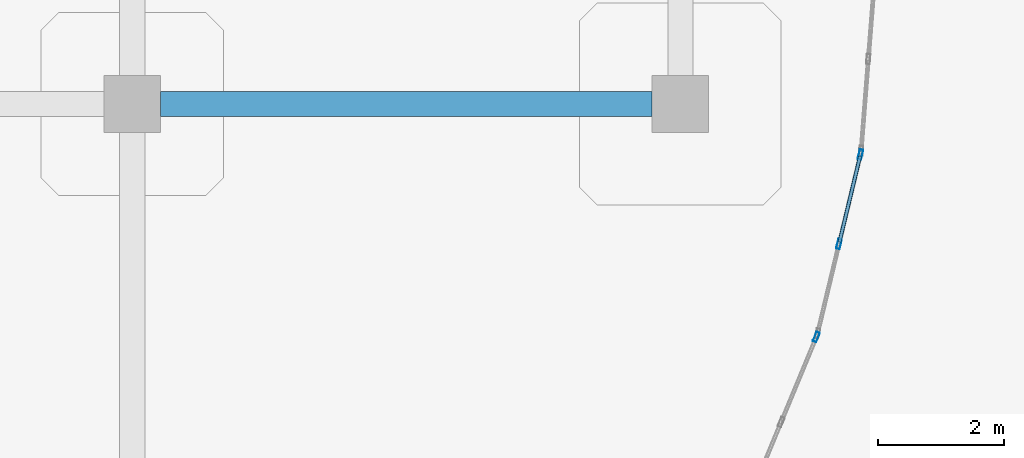
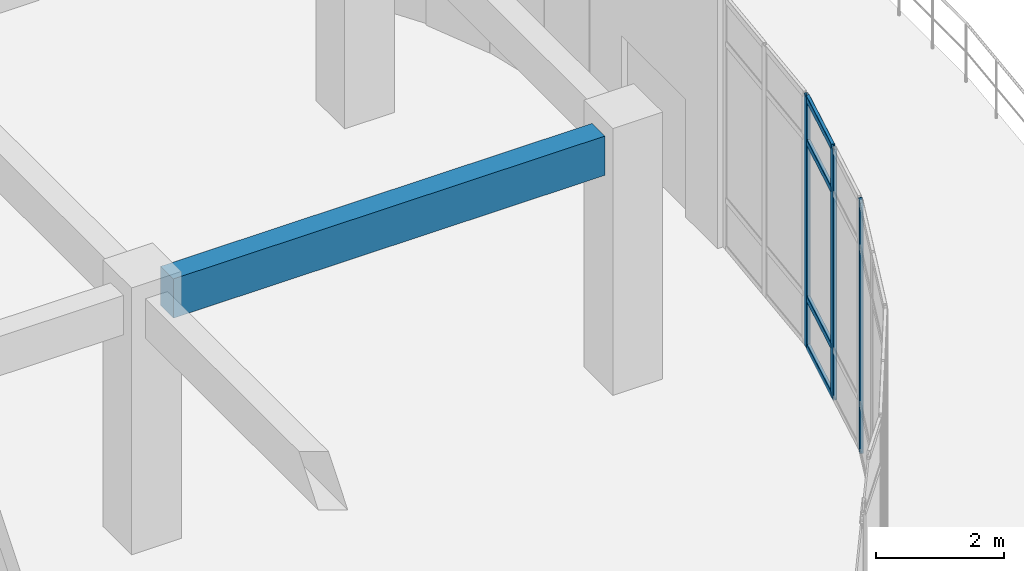
# One storey, part 68 of 120: 7 members, 1 beam, 2 elements without a shape of their own.
"""IFC4 building model written with IfcOpenShell, lengths in metres."""

from ifc_helpers import new_model, si_unit, derived_unit, direction, frame, origin, origin_2d, place, context, subcontext, project, spatial, rectangle, hollow_rectangle, extrude, material, layer, layer_set, material_profile, profile_set, type_object, element, aggregate, save


model = new_model("IFC4")

# Units and contexts
model_context = context("Model", 3, precision=1e-05, world=origin(), true_north=direction((0.0, 1.0)))
body_context = subcontext(model_context, "Body", "Model", "MODEL_VIEW")
ifc_project = project(units=[si_unit("LENGTHUNIT", "METRE"), si_unit("AREAUNIT", "SQUARE_METRE"), si_unit("VOLUMEUNIT", "CUBIC_METRE"), si_unit("PLANEANGLEUNIT", "RADIAN"), si_unit("MASSUNIT", "GRAM", prefix="KILO"), derived_unit("THERMALTRANSMITTANCEUNIT", [(si_unit("MASSUNIT", "GRAM", prefix="KILO"), 1), (si_unit("TIMEUNIT", "SECOND"), -3), (si_unit("THERMODYNAMICTEMPERATUREUNIT", "KELVIN"), -1)])], contexts=[model_context])

# Site, building, storey
site_placement = place(None, origin())
site = spatial("IfcSite", under=ifc_project, at=site_placement, CompositionType="ELEMENT")
building_placement = place(site_placement, origin())
building = spatial("IfcBuilding", under=site, at=building_placement, Name="Qinzheling Arcade Emporium", CompositionType="ELEMENT")
storey_placement = place(building_placement, frame((0.0, 0.0, 11.39990234375)))
storey = spatial("IfcBuildingStorey", under=building, at=storey_placement, Name="L03", CompositionType="ELEMENT", Elevation=11.39990234375)

# Curtain wall, members
ifc_material_1 = material(Name="Anodised aluminium and solar-control double glazing", Category="aluminium")
ifc_layer = layer(ifc_material_1, 0.159912109375, Name="Anodised aluminium and solar-control double glazing", Category="aluminium")
ifc_layer_set = layer_set([ifc_layer], Name="Anodised aluminium and solar-control double glazing")
curtain_wall_type = type_object("IfcCurtainWallType", Name="Curved Ribbon Sales Curtain Wall", PredefinedType="NOTDEFINED", material=ifc_layer_set)
curtain_wall_1_placement = place(storey_placement, origin())
curtain_wall_1 = element("IfcCurtainWall", 1, at=curtain_wall_1_placement, inside=storey, type_object=curtain_wall_type, Name="Curtain Wall CW-L03-129", PredefinedType="NOTDEFINED")
ifc_material_2 = material(Name="Anodised aluminium 6063-T6", Category="aluminium")
ifc_material_profile_1 = material_profile(ifc_material_2, hollow_rectangle(XDim=0.06005859375, YDim=0.159912109375, WallThickness=0.00390625, InnerFilletRadius=0.00390625, OuterFilletRadius=0.008056640625, at=origin_2d()), Name="RHS 160x60x4", Category="aluminium")
ifc_profile_set_1 = profile_set([ifc_material_profile_1], Name="Anodised aluminium 6063-T6")
member_type_1 = type_object("IfcMemberType", Name="Curtain Wall Mullion RHS160x60", PredefinedType="MULLION", material=ifc_profile_set_1)
member_1_placement = place(storey_placement, frame((168.158935546875, 15.998779296875, 0.0), z_axis=(0.0, 0.0, 1.0), x_axis=(0.972369031298, -0.233449067193, 0.0)))
member_1 = element("IfcMember", 2, at=member_1_placement, type_object=member_type_1, Name="CW02 mullion 1", PredefinedType="MULLION", context=body_context, shape_type="SweptSolid", body=[
    extrude(hollow_rectangle(XDim=0.06005859375, YDim=0.159912109375, WallThickness=0.00390625, InnerFilletRadius=0.00390625, OuterFilletRadius=0.008056640625, at=origin_2d()), origin(), (0.0, 0.0, 1.0), 4.7900390625),
])
member_2_placement = place(storey_placement, frame((167.818115234375, 14.57861328125, 0.0), z_axis=(0.0, 0.0, 1.0), x_axis=(0.972369031298, -0.233449067193, 0.0)))
member_2 = element("IfcMember", 3, at=member_2_placement, type_object=member_type_1, Name="CW02 mullion 2", PredefinedType="MULLION", context=body_context, shape_type="SweptSolid", body=[
    extrude(hollow_rectangle(XDim=0.06005859375, YDim=0.159912109375, WallThickness=0.00390625, InnerFilletRadius=0.00390625, OuterFilletRadius=0.008056640625, at=origin_2d()), origin(), (0.0, 0.0, 1.0), 4.7900390625),
])

# Curtain wall, member
curtain_wall_2_placement = place(storey_placement, origin())
curtain_wall_2 = element("IfcCurtainWall", 4, at=curtain_wall_2_placement, inside=storey, type_object=curtain_wall_type, Name="Curtain Wall CW-L03-130", PredefinedType="NOTDEFINED")
member_3_placement = place(storey_placement, frame((167.45849609375, 13.101318359375, 0.0), z_axis=(0.0, 0.0, 1.0), x_axis=(0.923898307913, -0.382638101391, 0.0)))
member_3 = element("IfcMember", 5, at=member_3_placement, type_object=member_type_1, Name="CW02 mullion 1", PredefinedType="MULLION", context=body_context, shape_type="SweptSolid", body=[
    extrude(hollow_rectangle(XDim=0.06005859375, YDim=0.159912109375, WallThickness=0.00390625, InnerFilletRadius=0.00390625, OuterFilletRadius=0.008056640625, at=origin_2d()), origin(), (0.0, 0.0, 1.0), 4.7900390625),
])
aggregate(curtain_wall_2, [member_3])

# Member
ifc_material_profile_2 = material_profile(ifc_material_2, hollow_rectangle(XDim=0.06005859375, YDim=0.1201171875, WallThickness=0.00390625, InnerFilletRadius=0.00390625, OuterFilletRadius=0.008056640625, at=origin_2d()), Name="RHS 120x60x4", Category="aluminium")
ifc_profile_set_2 = profile_set([ifc_material_profile_2], Name="Anodised aluminium 6063-T6")
member_type_2 = type_object("IfcMemberType", Name="Curtain Wall Transom RHS120x60", PredefinedType="USERDEFINED", material=ifc_profile_set_2)
member_4_placement = place(storey_placement, frame((168.152099609375, 15.9697265625, 0.030029296875), z_axis=(-0.233544335282, -0.972346154133, 0.0), x_axis=(0.972346154133, -0.233544335282, 0.0)))
member_4 = element("IfcMember", 6, at=member_4_placement, type_object=member_type_2, Name="CW02 transom 1.1", ObjectType="TRANSOM", PredefinedType="USERDEFINED", context=body_context, shape_type="SweptSolid", body=[
    extrude(hollow_rectangle(XDim=0.06005859375, YDim=0.1201171875, WallThickness=0.00390625, InnerFilletRadius=0.00390625, OuterFilletRadius=0.008056640625, at=origin_2d()), origin(), (0.0, 0.0, 1.0), 1.40087890625),
])

member_5_placement = place(storey_placement, frame((168.152099609375, 15.9697265625, 0.9501953125), z_axis=(-0.233544335282, -0.972346154133, 0.0), x_axis=(0.972346154133, -0.233544335282, 0.0)))
member_5 = element("IfcMember", 7, at=member_5_placement, type_object=member_type_2, Name="CW02 transom 1.2", ObjectType="TRANSOM", PredefinedType="USERDEFINED", context=body_context, shape_type="SweptSolid", body=[
    extrude(hollow_rectangle(XDim=0.06005859375, YDim=0.1201171875, WallThickness=0.00390625, InnerFilletRadius=0.00390625, OuterFilletRadius=0.008056640625, at=origin_2d()), origin(), (0.0, 0.0, 1.0), 1.40087890625),
])

member_6_placement = place(storey_placement, frame((168.152099609375, 15.9697265625, 3.940185546875), z_axis=(-0.233544335282, -0.972346154133, 0.0), x_axis=(0.972346154133, -0.233544335282, 0.0)))
member_6 = element("IfcMember", 8, at=member_6_placement, type_object=member_type_2, Name="CW02 transom 1.3", ObjectType="TRANSOM", PredefinedType="USERDEFINED", context=body_context, shape_type="SweptSolid", body=[
    extrude(hollow_rectangle(XDim=0.06005859375, YDim=0.1201171875, WallThickness=0.00390625, InnerFilletRadius=0.00390625, OuterFilletRadius=0.008056640625, at=origin_2d()), origin(), (0.0, 0.0, 1.0), 1.40087890625),
])

member_7_placement = place(storey_placement, frame((168.152099609375, 15.9697265625, 4.760009765625), z_axis=(-0.233544335282, -0.972346154133, 0.0), x_axis=(0.972346154133, -0.233544335282, 0.0)))
member_7 = element("IfcMember", 9, at=member_7_placement, type_object=member_type_2, Name="CW02 transom 1.4", ObjectType="TRANSOM", PredefinedType="USERDEFINED", context=body_context, shape_type="SweptSolid", body=[
    extrude(hollow_rectangle(XDim=0.06005859375, YDim=0.1201171875, WallThickness=0.00390625, InnerFilletRadius=0.00390625, OuterFilletRadius=0.008056640625, at=origin_2d()), origin(), (0.0, 0.0, 1.0), 1.40087890625),
])

aggregate(curtain_wall_1, [member_1, member_2, member_4, member_5, member_6, member_7])

# Beam
ifc_material_3 = material(Name="Concrete C40", Category="concrete")
ifc_material_profile_3 = material_profile(ifc_material_3, rectangle(XDim=0.39990234375, YDim=0.75, at=origin_2d()), Name="RC 400x750", Category="concrete")
ifc_profile_set_3 = profile_set([ifc_material_profile_3], Name="Concrete C40")
beam_type = type_object("IfcBeamType", Name="RC Interior Tie Beam 400x750 C40", PredefinedType="BEAM", material=ifc_profile_set_3)
beam_placement = place(storey_placement, frame((157.050048828125, 16.800048828125, 4.43017578125), z_axis=(1.0, 0.0, 0.0), x_axis=(0.0, 1.0, 0.0)))
element("IfcBeam", 10, at=beam_placement, inside=storey, type_object=beam_type, Name="Beam BM-L03-X-C-19", PredefinedType="BEAM", context=body_context, shape_type="SweptSolid", body=[
    extrude(rectangle(XDim=0.39990234375, YDim=0.75, at=origin_2d()), origin(), (0.0, 0.0, 1.0), 7.800048828125),
])

save(model, "model.ifc")
